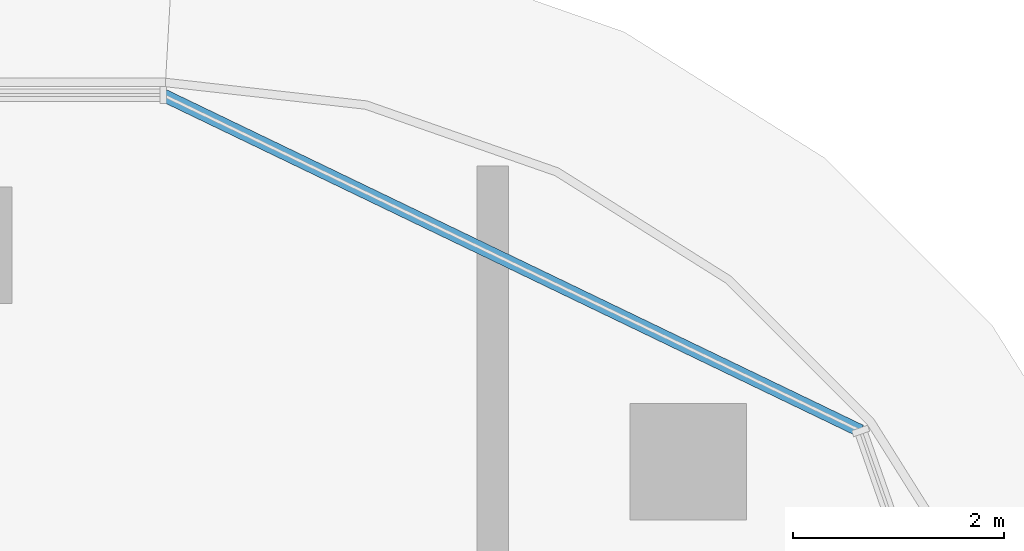
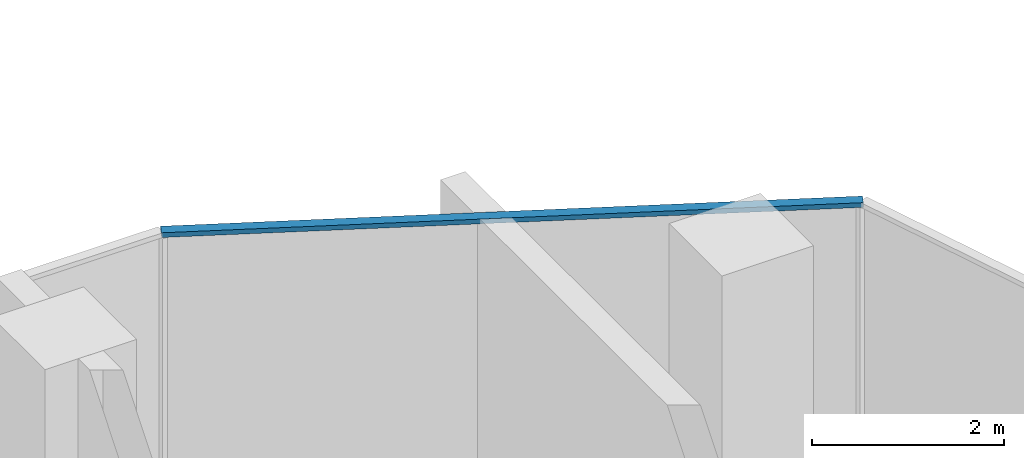
# One storey, part 5 of 24: 1 member, 1 element without a shape of its own.
"""IFC4 building model written with IfcOpenShell, lengths in metres."""

from ifc_helpers import new_model, si_unit, direction, frame, origin, origin_2d, place, context, subcontext, project, spatial, rectangle, extrude, material, material_profile, profile_set, type_object, element, aggregate, save


model = new_model("IFC4")

# Units and contexts
model_context = context("Model", 3, precision=1e-05, world=origin(), true_north=direction((0.0, 1.0)))
body_context = subcontext(model_context, "Body", "Model", "MODEL_VIEW")
ifc_project = project(units=[si_unit("LENGTHUNIT", "METRE"), si_unit("AREAUNIT", "SQUARE_METRE"), si_unit("VOLUMEUNIT", "CUBIC_METRE"), si_unit("PLANEANGLEUNIT", "RADIAN"), si_unit("MASSUNIT", "GRAM", prefix="KILO")], contexts=[model_context])

# Site, building, storey
site_placement = place(None, origin())
site = spatial("IfcSite", under=ifc_project, at=site_placement, CompositionType="ELEMENT")
building_placement = place(site_placement, origin())
building = spatial("IfcBuilding", under=site, at=building_placement, Name="Ogive Portal Towers", CompositionType="ELEMENT")
storey_placement = place(building_placement, frame((0.0, 0.0, 142.199951171875)))
storey = spatial("IfcBuildingStorey", under=building, at=storey_placement, Name="L34", CompositionType="ELEMENT", Elevation=142.199951171875)

# Curtain wall, member
ifc_material_1 = material(Name="Glass, clear low-iron insulated glazing", Category="glass")
curtain_wall_type = type_object("IfcCurtainWallType", Name="CW FRONT RIBBON 4500", PredefinedType="NOTDEFINED", material=ifc_material_1)
curtain_wall_placement = place(storey_placement, origin())
curtain_wall = element("IfcCurtainWall", 1, at=curtain_wall_placement, inside=storey, type_object=curtain_wall_type, Name="A:L34:f10:cwa", PredefinedType="NOTDEFINED")
ifc_material_2 = material(Name="Aluminium 6063 anodised", Category="aluminium")
ifc_material_profile = material_profile(ifc_material_2, rectangle(XDim=0.1201171875, YDim=0.06005859375, at=origin_2d()), Name="AL 120x60")
ifc_profile_set = profile_set([ifc_material_profile], Name="Aluminium 6063 anodised")
member_type = type_object("IfcMemberType", Name="CW TRANSOM 60x120", PredefinedType="USERDEFINED", material=ifc_profile_set)
member_placement = place(storey_placement, frame((94.0810546875, 37.741943359375, 3.3701171875), z_axis=(-0.900974646757, 0.433871738997, 0.0), x_axis=(-0.433871738997, -0.900974646757, 0.0)))
member = element("IfcMember", 2, at=member_placement, type_object=member_type, Name="transom", ObjectType="TRANSOM", PredefinedType="USERDEFINED", context=body_context, shape_type="SweptSolid", body=[
    extrude(rectangle(XDim=0.1201171875, YDim=0.06005859375, at=origin_2d()), origin(), (0.0, 0.0, 1.0), 7.32470703125),
])
aggregate(curtain_wall, [member])

save(model, "model.ifc")
